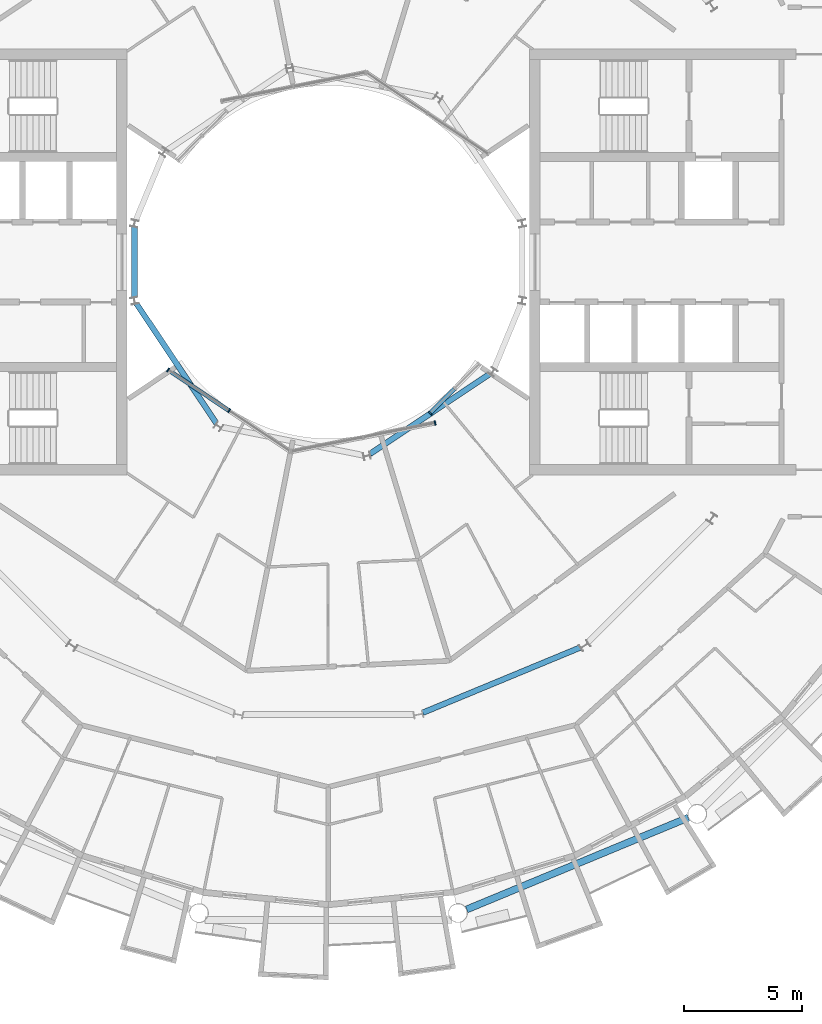
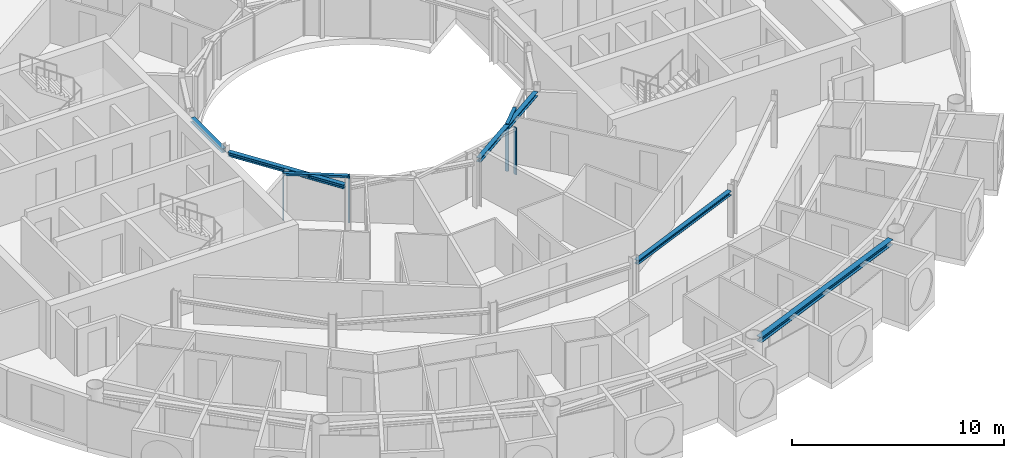
# One storey, part 7 of 29: 6 members, 5 beams, 3 elements without a shape of their own.
"""IFC4 building model written with IfcOpenShell, lengths in metres."""

from ifc_helpers import new_model, si_unit, direction, frame, origin, origin_2d, place, context, subcontext, project, spatial, rectangle, i_section, extrude, material, layer, layer_set, material_profile, profile_set, type_object, element, aggregate, save


model = new_model("IFC4")

# Units and contexts
model_context = context("Model", 3, precision=1e-05, world=origin(), true_north=direction((0.0, 1.0)))
body_context = subcontext(model_context, "Body", "Model", "MODEL_VIEW")
ifc_project = project(units=[si_unit("LENGTHUNIT", "METRE"), si_unit("AREAUNIT", "SQUARE_METRE"), si_unit("VOLUMEUNIT", "CUBIC_METRE"), si_unit("PLANEANGLEUNIT", "RADIAN"), si_unit("MASSUNIT", "GRAM", prefix="KILO")], contexts=[model_context])

# Site, building, storey
site_placement = place(None, origin())
site = spatial("IfcSite", under=ifc_project, at=site_placement, CompositionType="ELEMENT")
building_placement = place(site_placement, origin())
building = spatial("IfcBuilding", under=site, at=building_placement, Name="Maasbend Ring Residences", CompositionType="ELEMENT")
storey_placement = place(building_placement, frame((0.0, 0.0, 190.199951171875)))
storey = spatial("IfcBuildingStorey", under=building, at=storey_placement, Name="L54", CompositionType="ELEMENT", Elevation=190.199951171875)

# Curtain wall, members
ifc_material_1 = material(Name="Aluminium and clear glass", Category="aluminium")
ifc_layer = layer(ifc_material_1, 0.179931640625)
ifc_layer_set = layer_set([ifc_layer], Name="CW-W")
curtain_wall_type = type_object("IfcCurtainWallType", Name="CW-W", PredefinedType="NOTDEFINED", material=ifc_layer_set)
curtain_wall_1_placement = place(storey_placement, origin())
curtain_wall_1 = element("IfcCurtainWall", 1, at=curtain_wall_1_placement, inside=storey, type_object=curtain_wall_type, Name="Well curtain wall S1", PredefinedType="NOTDEFINED")
ifc_material_2 = material(Name="Aluminium 6063-T6", Category="aluminium")
ifc_material_profile_1 = material_profile(ifc_material_2, rectangle(XDim=0.179931640625, YDim=0.06005859375, at=origin_2d()), Name="AL 180x60")
ifc_profile_set_1 = profile_set([ifc_material_profile_1], Name="Aluminium 6063-T6")
member_type_1 = type_object("IfcMemberType", Name="CWM-W", PredefinedType="MULLION", material=ifc_profile_set_1)
member_1_placement = place(storey_placement, frame((-6.805908203125, -4.580810546875, 0.0), z_axis=(0.0, 0.0, 1.0), x_axis=(0.55557023302, 0.831469612303, 0.0)))
member_1 = element("IfcMember", 2, at=member_1_placement, type_object=member_type_1, Name="Mullion well face", PredefinedType="MULLION", context=body_context, shape_type="SweptSolid", body=[
    extrude(rectangle(XDim=0.179931640625, YDim=0.06005859375, at=origin_2d()), origin(), (0.0, 0.0, 1.0), 2.699951171875),
])
member_2_placement = place(storey_placement, frame((-4.216796875, -6.310791015625, 0.0), z_axis=(0.0, 0.0, 1.0), x_axis=(0.55557023302, 0.831469612303, 0.0)))
member_2 = element("IfcMember", 3, at=member_2_placement, type_object=member_type_1, Name="Mullion well face", PredefinedType="MULLION", context=body_context, shape_type="SweptSolid", body=[
    extrude(rectangle(XDim=0.179931640625, YDim=0.06005859375, at=origin_2d()), origin(), (0.0, 0.0, 1.0), 2.699951171875),
])

# Curtain wall, member
curtain_wall_2_placement = place(storey_placement, origin())
curtain_wall_2 = element("IfcCurtainWall", 4, at=curtain_wall_2_placement, inside=storey, type_object=curtain_wall_type, Name="Well curtain wall S2", PredefinedType="NOTDEFINED")
member_3_placement = place(storey_placement, frame((4.53466796875, -6.836669921875, 0.0), z_axis=(0.0, 0.0, 1.0), x_axis=(-0.195090322016, 0.980785280403, 0.0)))
member_3 = element("IfcMember", 5, at=member_3_placement, type_object=member_type_1, Name="Mullion well face", PredefinedType="MULLION", context=body_context, shape_type="SweptSolid", body=[
    extrude(rectangle(XDim=0.179931640625, YDim=0.06005859375, at=origin_2d()), origin(), (0.0, 0.0, 1.0), 2.699951171875),
])
aggregate(curtain_wall_2, [member_3])

curtain_wall_3_placement = place(storey_placement, origin())
curtain_wall_3 = element("IfcCurtainWall", 6, at=curtain_wall_3_placement, inside=storey, type_object=curtain_wall_type, Name="Well curtain wall S3", PredefinedType="NOTDEFINED")
member_4_placement = place(storey_placement, frame((4.320556640625, -6.413330078125, 0.0), z_axis=(0.0, 0.0, 1.0), x_axis=(-0.707106781187, 0.707106781187, 0.0)))
member_4 = element("IfcMember", 7, at=member_4_placement, type_object=member_type_1, Name="Mullion well face", PredefinedType="MULLION", context=body_context, shape_type="SweptSolid", body=[
    extrude(rectangle(XDim=0.179931640625, YDim=0.06005859375, at=origin_2d()), origin(), (0.0, 0.0, 1.0), 2.699951171875),
])

# Member
ifc_material_3 = material(Name="Aluminium 6063-T6", Category="aluminium")
ifc_material_profile_2 = material_profile(ifc_material_3, rectangle(XDim=0.179931640625, YDim=0.1201171875, at=origin_2d()), Name="AL 180x120")
ifc_profile_set_2 = profile_set([ifc_material_profile_2], Name="Aluminium 6063-T6")
member_type_2 = type_object("IfcMemberType", Name="CWT-W", PredefinedType="USERDEFINED", material=ifc_profile_set_2)
member_5_placement = place(storey_placement, frame((-6.781005859375, -4.59765625, 2.64013671875), z_axis=(0.831496422459, -0.555530106689, 0.0), x_axis=(0.555530106689, 0.831496422459, 0.0)))
member_5 = element("IfcMember", 8, at=member_5_placement, type_object=member_type_2, Name="Transom well face", ObjectType="TRANSOM", PredefinedType="USERDEFINED", context=body_context, shape_type="SweptSolid", body=[
    extrude(rectangle(XDim=0.179931640625, YDim=0.1201171875, at=origin_2d()), origin(), (0.0, 0.0, 1.0), 3.053955078125),
])

aggregate(curtain_wall_1, [member_1, member_2, member_5])

member_6_placement = place(storey_placement, frame((4.341796875, -6.39208984375, 2.64013671875), z_axis=(0.707106781187, 0.707106781187, 0.0), x_axis=(-0.707106781187, 0.707106781187, 0.0)))
member_6 = element("IfcMember", 9, at=member_6_placement, type_object=member_type_2, Name="Transom well face", ObjectType="TRANSOM", PredefinedType="USERDEFINED", context=body_context, shape_type="SweptSolid", body=[
    extrude(rectangle(XDim=0.179931640625, YDim=0.1201171875, at=origin_2d()), origin(), (0.0, 0.0, 1.0), 1.419677734375),
])

aggregate(curtain_wall_3, [member_4, member_6])

# Beams
ifc_material_4 = material(Name="Steel S355J2", Category="steel")
ifc_material_profile_3 = material_profile(ifc_material_4, i_section(OverallWidth=0.239990234375, OverallDepth=0.22998046875, WebThickness=0.007568359375, FlangeThickness=0.011962890625, FilletRadius=0.02099609375, at=origin_2d()), Name="HEA 240")
ifc_profile_set_3 = profile_set([ifc_material_profile_3], Name="Steel S355J2")
beam_type_1 = type_object("IfcBeamType", Name="Corridor ring beam HEA 240", PredefinedType="BEAM", material=ifc_profile_set_3)
beam_1_placement = place(storey_placement, frame((4.01220703125, -19.1455078125, 2.5849609375), z_axis=(0.923865162022, 0.382718123952, 0.0), x_axis=(-0.382718123952, 0.923865162022, 0.0)))
element("IfcBeam", 10, at=beam_1_placement, inside=storey, type_object=beam_type_1, Name="Corridor ring beam", PredefinedType="BEAM", context=body_context, shape_type="SweptSolid", body=[
    extrude(i_section(OverallWidth=0.239990234375, OverallDepth=0.22998046875, WebThickness=0.007568359375, FlangeThickness=0.011962890625, FilletRadius=0.02099609375, at=origin_2d()), origin(), (0.0, 0.0, 1.0), 7.23974609375),
])
ifc_material_5 = material(Name="Steel S355J2", Category="steel")
ifc_material_profile_4 = material_profile(ifc_material_5, i_section(OverallWidth=0.300048828125, OverallDepth=0.300048828125, WebThickness=0.010986328125, FlangeThickness=0.01904296875, FilletRadius=0.027099609375, at=origin_2d()), Name="HEB 300")
ifc_profile_set_4 = profile_set([ifc_material_profile_4], Name="Steel S355J2")
beam_type_2 = type_object("IfcBeamType", Name="Spandrel ring beam HEB 300", PredefinedType="SPANDREL", material=ifc_profile_set_4)
beam_2_placement = place(storey_placement, frame((5.877197265625, -27.50244140625, 2.550048828125), z_axis=(0.923883676188, 0.382673428492, 0.0), x_axis=(-0.382673428492, 0.923883676188, 0.0)))
element("IfcBeam", 11, at=beam_2_placement, inside=storey, type_object=beam_type_2, Name="Spandrel ring beam", PredefinedType="SPANDREL", context=body_context, shape_type="SweptSolid", body=[
    extrude(i_section(OverallWidth=0.300048828125, OverallDepth=0.300048828125, WebThickness=0.010986328125, FlangeThickness=0.01904296875, FilletRadius=0.027099609375, at=origin_2d()), origin(), (0.0, 0.0, 1.0), 10.18994140625),
])
ifc_material_6 = material(Name="Steel S355J2", Category="steel")
ifc_material_profile_5 = material_profile(ifc_material_6, i_section(OverallWidth=0.239990234375, OverallDepth=0.22998046875, WebThickness=0.007568359375, FlangeThickness=0.011962890625, FilletRadius=0.02099609375, at=origin_2d()), Name="HEA 240")
ifc_profile_set_5 = profile_set([ifc_material_profile_5], Name="Steel S355J2")
beam_type_3 = type_object("IfcBeamType", Name="Well edge beam HEA 240", PredefinedType="BEAM", material=ifc_profile_set_5)
beam_3_placement = place(storey_placement, frame((-8.238525390625, 1.490966796875, 2.5849609375), z_axis=(0.0, -1.0, 0.0), x_axis=(1.0, 0.0, 0.0)))
element("IfcBeam", 12, at=beam_3_placement, inside=storey, type_object=beam_type_3, Name="Well edge beam", PredefinedType="BEAM", context=body_context, shape_type="SweptSolid", body=[
    extrude(i_section(OverallWidth=0.239990234375, OverallDepth=0.22998046875, WebThickness=0.007568359375, FlangeThickness=0.011962890625, FilletRadius=0.02099609375, at=origin_2d()), origin(), (0.0, 0.0, 1.0), 2.98193359375),
])
for number, where, z_axis, x_axis, name in (
    (13, (-8.1513671875, -1.769287109375, 2.5849609375), (0.555584356119, -0.831460175376, 0.0), (0.831460175376, 0.555584356119, 0.0), "Well edge beam"),
    (14, (1.769287109375, -8.1513671875, 2.5849609375), (0.831460175376, 0.555584356119, 0.0), (-0.555584356119, 0.831460175376, 0.0), "Well edge beam"),
):
    element("IfcBeam", number, at=place(storey_placement, frame(where, z_axis=z_axis, x_axis=x_axis)), inside=storey, type_object=beam_type_3, Name=name, PredefinedType="BEAM", context=body_context, shape_type="SweptSolid", body=[
        extrude(i_section(OverallWidth=0.239990234375, OverallDepth=0.22998046875, WebThickness=0.007568359375, FlangeThickness=0.011962890625, FilletRadius=0.02099609375, at=origin_2d()), origin(), (0.0, 0.0, 1.0), 6.115234375),
    ])

save(model, "model.ifc")
